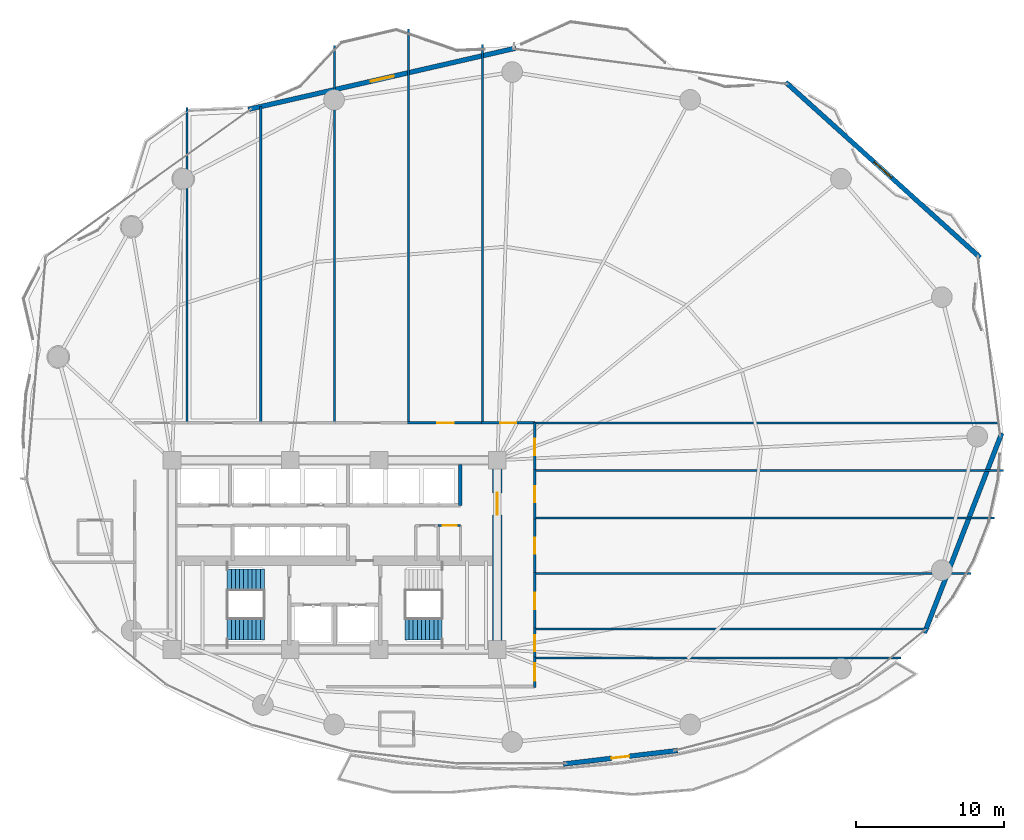
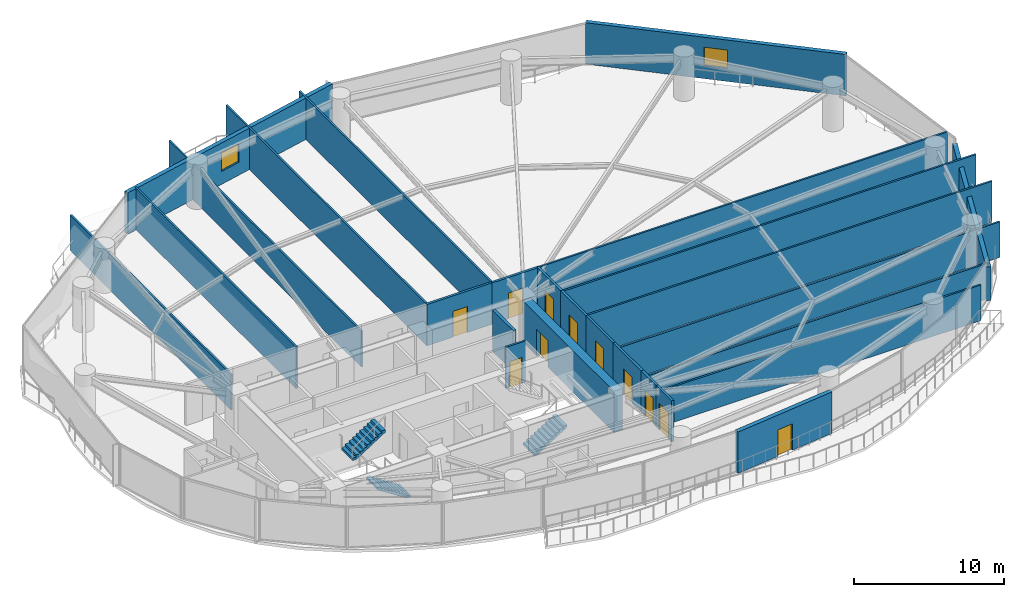
# One storey, part 26 of 30: 26 walls, 11 doors, 3 stair flights, 2 windows, 13 openings, 2 elements without a shape of their own.
"""IFC4 building model written with IfcOpenShell, lengths in metres."""

from ifc_helpers import new_model, si_unit, direction, frame, frame_2d, origin, place, context, subcontext, project, spatial, polyline, rectangle, outline, extrude, material, layer, layer_set, type_object, element, fill, aggregate, save


model = new_model("IFC4")

# Units and contexts
model_context = context("Model", 3, precision=1e-05, world=origin(), true_north=direction((0.0, 1.0)))
body_context = subcontext(model_context, "Body", "Model", "MODEL_VIEW")
ifc_project = project(units=[si_unit("LENGTHUNIT", "METRE"), si_unit("AREAUNIT", "SQUARE_METRE"), si_unit("VOLUMEUNIT", "CUBIC_METRE"), si_unit("PLANEANGLEUNIT", "RADIAN"), si_unit("MASSUNIT", "GRAM", prefix="KILO")], contexts=[model_context])

# Site, building, storey
site_placement = place(None, origin())
site = spatial("IfcSite", under=ifc_project, at=site_placement, CompositionType="ELEMENT")
building_placement = place(site_placement, origin())
building = spatial("IfcBuilding", under=site, at=building_placement, Name="Kazevale Care Tower and Concert Hall", CompositionType="ELEMENT")
storey_placement = place(building_placement, frame((0.0, 0.0, 74.39990234375)))
storey = spatial("IfcBuildingStorey", under=building, at=storey_placement, Name="L19", CompositionType="ELEMENT", Elevation=74.39990234375)

# Wall, opening, door
ifc_material_1 = material(Name="Acoustic Gypsum on Steel Stud", Category="steel")
ifc_layer_1 = layer(ifc_material_1, 0.139892578125)
ifc_layer_set_1 = layer_set([ifc_layer_1], Name="Acoustic Gypsum on Steel Stud")
wall_type_1 = type_object("IfcWallType", Name="Acoustic Care & Suite Partition 140", PredefinedType="PARTITIONING", material=ifc_layer_set_1)
wall_1_placement = place(storey_placement, frame((40.0, 31.97998046875, 0.0), z_axis=(0.0, 0.0, 1.0), x_axis=(1.0, 0.0, 0.0)))
wall_1 = element("IfcWall", 1, at=wall_1_placement, inside=storey, type_object=wall_type_1, Name="wall:L19:ka_en2", PredefinedType="PARTITIONING", context=body_context, shape_type="SweptSolid", body=[
    extrude(rectangle(XDim=1.52001953125, YDim=0.139892578125, at=frame_2d((0.760009765625, 0.0))), origin(), (0.0, 0.0, 1.0), 3.360107421875),
])
opening_1_placement = place(wall_1_placement, frame((0.320068359375, 0.0, 0.0)))
opening_1 = element("IfcOpeningElement", 2, at=opening_1_placement, cuts=wall_1, Name="Opening ID-900", PredefinedType="OPENING", context=body_context, shape_type="SweptSolid", body=[
    extrude(rectangle(XDim=0.919921875, YDim=2.10009765625, at=frame_2d((0.4599609375, 1.050048828125))), frame((0.0, 0.079833984375, 0.0), z_axis=(0.0, -1.0, 0.0), x_axis=(1.0, 0.0, 0.0)), (0.0, 0.0, 1.0), 0.159912109375),
])
ifc_material_2 = material(Name="Oak Timber Fire Leaf", Category="wood")
door_type_1 = type_object("IfcDoorType", Name="Bathroom & Service Door 920x2100", OperationType="NOTDEFINED", PredefinedType="DOOR", material=ifc_material_2)
door_1_placement = place(opening_1_placement, origin())
door_1 = element("IfcDoor", 3, at=door_1_placement, inside=storey, type_object=door_type_1, Name="door:L19:d_kae2", OperationType="SINGLE_SWING_RIGHT", OverallHeight=2.10009765625, OverallWidth=0.919921875, PredefinedType="DOOR", context=body_context, shape_type="SweptSolid", body=[
    extrude(rectangle(XDim=0.919921875, YDim=2.10009765625, at=frame_2d((0.4599609375, 1.050048828125))), frame((0.0, 0.02490234375, 0.0), z_axis=(0.0, -1.0, 0.0), x_axis=(1.0, 0.0, 0.0)), (0.0, 0.0, 1.0), 0.050048828125),
])
fill(opening_1, door_1)

# Walls
wall_2_placement = place(storey_placement, frame((23.0, 60.261962890625, 0.0), z_axis=(0.0, 0.0, 1.0), x_axis=(0.0, -1.0, 0.0)))
element("IfcWall", 4, at=wall_2_placement, inside=storey, type_object=wall_type_1, Name="wall:L19:auto_016", PredefinedType="PARTITIONING", context=body_context, shape_type="SweptSolid", body=[
    extrude(rectangle(XDim=21.366943359375, YDim=0.139892578125, at=frame_2d((10.68359375, 0.0))), origin(), (0.0, 0.0, 1.0), 2.89013671875),
])
wall_3_placement = place(storey_placement, frame((28.0, 60.3076171875, 0.0), z_axis=(0.0, 0.0, 1.0), x_axis=(0.0, -1.0, 0.0)))
element("IfcWall", 5, at=wall_3_placement, inside=storey, type_object=wall_type_1, Name="wall:L19:auto_017", PredefinedType="PARTITIONING", context=body_context, shape_type="SweptSolid", body=[
    extrude(rectangle(XDim=21.41259765625, YDim=0.139892578125, at=frame_2d((10.706298828125, 0.0))), origin(), (0.0, 0.0, 1.0), 3.360107421875),
])
wall_4_placement = place(storey_placement, frame((33.0, 64.4609375, 0.0), z_axis=(0.0, 0.0, 1.0), x_axis=(0.0, -1.0, 0.0)))
element("IfcWall", 6, at=wall_4_placement, inside=storey, type_object=wall_type_1, Name="wall:L19:auto_018", PredefinedType="PARTITIONING", context=body_context, shape_type="SweptSolid", body=[
    extrude(rectangle(XDim=25.56591796875, YDim=0.139892578125, at=frame_2d((12.782958984375, 0.0))), origin(), (0.0, 0.0, 1.0), 2.89013671875),
])
wall_5_placement = place(storey_placement, frame((38.0, 65.548095703125, 0.0), z_axis=(0.0, 0.0, 1.0), x_axis=(0.0, -1.0, 0.0)))
element("IfcWall", 7, at=wall_5_placement, inside=storey, type_object=wall_type_1, Name="wall:L19:auto_019", PredefinedType="PARTITIONING", context=body_context, shape_type="SweptSolid", body=[
    extrude(rectangle(XDim=26.653076171875, YDim=0.139892578125, at=frame_2d((13.32666015625, 0.0))), origin(), (0.0, 0.0, 1.0), 3.360107421875),
])
wall_6_placement = place(storey_placement, frame((43.0, 64.510986328125, 0.0), z_axis=(0.0, 0.0, 1.0), x_axis=(0.0, -1.0, 0.0)))
element("IfcWall", 8, at=wall_6_placement, inside=storey, type_object=wall_type_1, Name="wall:L19:auto_020", PredefinedType="PARTITIONING", context=body_context, shape_type="SweptSolid", body=[
    extrude(rectangle(XDim=25.615966796875, YDim=0.139892578125, at=frame_2d((12.80810546875, 0.0))), origin(), (0.0, 0.0, 1.0), 3.360107421875),
])
wall_7_placement = place(storey_placement, frame((77.89404296875, 38.925048828125, 0.0), z_axis=(0.0, 0.0, 1.0), x_axis=(-1.0, 0.0, 0.0)))
element("IfcWall", 9, at=wall_7_placement, inside=storey, type_object=wall_type_1, Name="wall:L19:auto_021", PredefinedType="PARTITIONING", context=body_context, shape_type="SweptSolid", body=[
    extrude(rectangle(XDim=31.43408203125, YDim=0.139892578125, at=frame_2d((15.717041015625, 0.0))), origin(), (0.0, 0.0, 1.0), 3.360107421875),
])
wall_8_placement = place(storey_placement, frame((46.4951171875, 23.0400390625, 0.0), z_axis=(0.0, 0.0, 1.0), x_axis=(1.0, 0.0, 0.0)))
element("IfcWall", 10, at=wall_8_placement, inside=storey, type_object=wall_type_1, Name="wall:L19:auto_022", PredefinedType="PARTITIONING", context=body_context, shape_type="SweptSolid", body=[
    extrude(rectangle(XDim=24.805908203125, YDim=0.139892578125, at=frame_2d((12.40283203125, 0.0))), origin(), (0.0, 0.0, 1.0), 2.89013671875),
])
wall_9_placement = place(storey_placement, frame((46.4951171875, 25.0, 0.0), z_axis=(0.0, 0.0, 1.0), x_axis=(1.0, 0.0, 0.0)))
element("IfcWall", 11, at=wall_9_placement, inside=storey, type_object=wall_type_1, Name="wall:L19:auto_023", PredefinedType="PARTITIONING", context=body_context, shape_type="SweptSolid", body=[
    extrude(rectangle(XDim=26.490478515625, YDim=0.139892578125, at=frame_2d((13.2451171875, 0.0))), origin(), (0.0, 0.0, 1.0), 2.89013671875),
])
wall_10_placement = place(storey_placement, frame((46.4951171875, 28.75, 0.0), z_axis=(0.0, 0.0, 1.0), x_axis=(1.0, 0.0, 0.0)))
element("IfcWall", 12, at=wall_10_placement, inside=storey, type_object=wall_type_1, Name="wall:L19:auto_024", PredefinedType="PARTITIONING", context=body_context, shape_type="SweptSolid", body=[
    extrude(rectangle(XDim=29.5478515625, YDim=0.139892578125, at=frame_2d((14.77392578125, 0.0))), origin(), (0.0, 0.0, 1.0), 2.89013671875),
])
wall_11_placement = place(storey_placement, frame((46.4951171875, 32.5, 0.0), z_axis=(0.0, 0.0, 1.0), x_axis=(1.0, 0.0, 0.0)))
element("IfcWall", 13, at=wall_11_placement, inside=storey, type_object=wall_type_1, Name="wall:L19:auto_025", PredefinedType="PARTITIONING", context=body_context, shape_type="SweptSolid", body=[
    extrude(rectangle(XDim=31.126953125, YDim=0.139892578125, at=frame_2d((15.5634765625, 0.0))), origin(), (0.0, 0.0, 1.0), 3.360107421875),
])
wall_12_placement = place(storey_placement, frame((46.4951171875, 35.7099609375, 0.0), z_axis=(0.0, 0.0, 1.0), x_axis=(1.0, 0.0, 0.0)))
element("IfcWall", 14, at=wall_12_placement, inside=storey, type_object=wall_type_1, Name="wall:L19:auto_026", PredefinedType="PARTITIONING", context=body_context, shape_type="SweptSolid", body=[
    extrude(rectangle(XDim=31.741943359375, YDim=0.139892578125, at=frame_2d((15.87109375, 0.0))), origin(), (0.0, 0.0, 1.0), 3.360107421875),
])

# Wall, opening, door
ifc_material_3 = material(Name="Concrete C70", Category="concrete")
ifc_layer_2 = layer(ifc_material_3, 0.64990234375)
ifc_layer_set_2 = layer_set([ifc_layer_2], Name="Concrete C70")
wall_type_2 = type_object("IfcWallType", Name="Core Shear Wall 650 C70", PredefinedType="SHEAR", material=ifc_layer_set_2)
wall_13_placement = place(storey_placement, frame((44.0, 23.925048828125, 0.0), z_axis=(0.0, 0.0, 1.0), x_axis=(0.0, 1.0, 0.0)))
wall_13 = element("IfcWall", 15, at=wall_13_placement, inside=storey, type_object=wall_type_2, Name="wall:L19:core:E", PredefinedType="SHEAR", context=body_context, shape_type="SweptSolid", body=[
    extrude(rectangle(XDim=12.14990234375, YDim=0.64990234375, at=frame_2d((6.074951171875, 0.0))), origin(), (0.0, 0.0, 1.0), 3.360107421875),
])
opening_2_placement = place(wall_13_placement, frame((8.77490234375, 0.0, 0.0)))
opening_2 = element("IfcOpeningElement", 16, at=opening_2_placement, cuts=wall_13, Name="Opening FD-60D", PredefinedType="OPENING", context=body_context, shape_type="SweptSolid", body=[
    extrude(rectangle(XDim=1.5, YDim=2.14990234375, at=frame_2d((0.75, 1.074951171875))), frame((0.0, 0.3349609375, 0.0), z_axis=(0.0, -1.0, 0.0), x_axis=(1.0, 0.0, 0.0)), (0.0, 0.0, 1.0), 0.669921875),
])
door_type_2 = type_object("IfcDoorType", Name="Double Lobby & Auditorium Fire Door 1500x2150", OperationType="NOTDEFINED", PredefinedType="DOOR", material=ifc_material_2)
door_2_placement = place(opening_2_placement, origin())
door_2 = element("IfcDoor", 17, at=door_2_placement, inside=storey, type_object=door_type_2, Name="door:L19:core_east_out", OperationType="DOUBLE_DOOR_SINGLE_SWING", OverallHeight=2.14990234375, OverallWidth=1.5, PredefinedType="DOOR", context=body_context, shape_type="SweptSolid", body=[
    extrude(rectangle(XDim=1.5, YDim=2.14990234375, at=frame_2d((0.75, 1.074951171875))), frame((0.0, 0.02490234375, 0.0), z_axis=(0.0, -1.0, 0.0), x_axis=(1.0, 0.0, 0.0)), (0.0, 0.0, 1.0), 0.050048828125),
])
fill(opening_2, door_2)

# Wall
ifc_material_4 = material(Name="Concrete C40", Category="concrete")
ifc_layer_3 = layer(ifc_material_4, 0.219970703125)
ifc_layer_set_3 = layer_set([ifc_layer_3], Name="Concrete C40")
wall_type_3 = type_object("IfcWallType", Name="Elevator Hoistway Shaft Wall 220", PredefinedType="SOLIDWALL", material=ifc_layer_set_3)
wall_14_placement = place(storey_placement, frame((41.5, 33.35009765625, 0.0), z_axis=(0.0, 0.0, 1.0), x_axis=(0.0, 1.0, 0.0)))
element("IfcWall", 18, at=wall_14_placement, inside=storey, type_object=wall_type_3, Name="wall:L19:c_pm_e", PredefinedType="SOLIDWALL", context=body_context, shape_type="SweptSolid", body=[
    extrude(rectangle(XDim=2.75, YDim=0.219970703125, at=frame_2d((1.375, 0.0))), origin(), (0.0, 0.0, 1.0), 3.360107421875),
])

# Wall, opening, door
ifc_material_5 = material(Name="Concrete C40 and Acoustic Gypsum", Category="concrete")
ifc_layer_4 = layer(ifc_material_5, 0.179931640625)
ifc_layer_set_4 = layer_set([ifc_layer_4], Name="Concrete C40 and Acoustic Gypsum")
wall_type_4 = type_object("IfcWallType", Name="Fire-Rated Corridor & Party Wall 180", PredefinedType="PARTITIONING", material=ifc_layer_set_4)
wall_15_placement = place(storey_placement, frame((37.93505859375, 38.925048828125, 0.0), z_axis=(0.0, 0.0, 1.0), x_axis=(1.0, 0.0, 0.0)))
wall_15 = element("IfcWall", 19, at=wall_15_placement, inside=storey, type_object=wall_type_4, Name="wall:L19:auto_005", PredefinedType="PARTITIONING", context=body_context, shape_type="SweptSolid", body=[
    extrude(rectangle(XDim=5.1298828125, YDim=0.179931640625, at=frame_2d((2.56494140625, 0.0))), origin(), (0.0, 0.0, 1.0), 3.360107421875),
])
opening_3_placement = place(wall_15_placement, frame((2.014892578125, 0.0, 0.0)))
opening_3 = element("IfcOpeningElement", 20, at=opening_3_placement, cuts=wall_15, Name="Opening ID-1100", PredefinedType="OPENING", context=body_context, shape_type="SweptSolid", body=[
    extrude(rectangle(XDim=1.10009765625, YDim=2.10009765625, at=frame_2d((0.550048828125, 1.050048828125))), frame((0.0, 0.099853515625, 0.0), z_axis=(0.0, -1.0, 0.0), x_axis=(1.0, 0.0, 0.0)), (0.0, 0.0, 1.0), 0.199951171875),
])
door_type_3 = type_object("IfcDoorType", Name="Care Bedroom Accessible Door 1100x2100", OperationType="NOTDEFINED", PredefinedType="DOOR", material=ifc_material_2)
door_3_placement = place(opening_3_placement, origin())
door_3 = element("IfcDoor", 21, at=door_3_placement, inside=storey, type_object=door_type_3, Name="door:L19:ad_005", OperationType="SINGLE_SWING_LEFT", OverallHeight=2.10009765625, OverallWidth=1.10009765625, PredefinedType="DOOR", context=body_context, shape_type="SweptSolid", body=[
    extrude(rectangle(XDim=1.10009765625, YDim=2.10009765625, at=frame_2d((0.550048828125, 1.050048828125))), frame((0.0, 0.02490234375, 0.0), z_axis=(0.0, -1.0, 0.0), x_axis=(1.0, 0.0, 0.0)), (0.0, 0.0, 1.0), 0.050048828125),
])
fill(opening_3, door_3)

wall_16_placement = place(storey_placement, frame((42.93505859375, 38.925048828125, 0.0), z_axis=(0.0, 0.0, 1.0), x_axis=(1.0, 0.0, 0.0)))
wall_16 = element("IfcWall", 22, at=wall_16_placement, inside=storey, type_object=wall_type_4, Name="wall:L19:auto_006", PredefinedType="PARTITIONING", context=body_context, shape_type="SweptSolid", body=[
    extrude(rectangle(XDim=3.619873046875, YDim=0.179931640625, at=frame_2d((1.81005859375, 0.0))), origin(), (0.0, 0.0, 1.0), 3.360107421875),
])
opening_4_placement = place(wall_16_placement, frame((1.260009765625, 0.0, 0.0)))
opening_4 = element("IfcOpeningElement", 23, at=opening_4_placement, cuts=wall_16, Name="Opening ID-1100", PredefinedType="OPENING", context=body_context, shape_type="SweptSolid", body=[
    extrude(rectangle(XDim=1.10009765625, YDim=2.10009765625, at=frame_2d((0.550048828125, 1.050048828125))), frame((0.0, 0.099853515625, 0.0), z_axis=(0.0, -1.0, 0.0), x_axis=(1.0, 0.0, 0.0)), (0.0, 0.0, 1.0), 0.199951171875),
])
door_4_placement = place(opening_4_placement, origin())
door_4 = element("IfcDoor", 24, at=door_4_placement, inside=storey, type_object=door_type_3, Name="door:L19:ad_006", OperationType="SINGLE_SWING_LEFT", OverallHeight=2.10009765625, OverallWidth=1.10009765625, PredefinedType="DOOR", context=body_context, shape_type="SweptSolid", body=[
    extrude(rectangle(XDim=1.10009765625, YDim=2.10009765625, at=frame_2d((0.550048828125, 1.050048828125))), frame((0.0, 0.02490234375, 0.0), z_axis=(0.0, -1.0, 0.0), x_axis=(1.0, 0.0, 0.0)), (0.0, 0.0, 1.0), 0.050048828125),
])
fill(opening_4, door_4)

wall_17_placement = place(storey_placement, frame((46.52490234375, 23.10498046875, 0.0), z_axis=(0.0, 0.0, 1.0), x_axis=(0.0, -1.0, 0.0)))
wall_17 = element("IfcWall", 25, at=wall_17_placement, inside=storey, type_object=wall_type_4, Name="wall:L19:auto_007", PredefinedType="PARTITIONING", context=body_context, shape_type="SweptSolid", body=[
    extrude(rectangle(XDim=2.06005859375, YDim=0.179931640625, at=frame_2d((1.030029296875, 0.0))), origin(), (0.0, 0.0, 1.0), 3.360107421875),
])
opening_5_placement = place(wall_17_placement, frame((0.429931640625, 0.0, 0.0)))
opening_5 = element("IfcOpeningElement", 26, at=opening_5_placement, cuts=wall_17, Name="Opening ID-1200", PredefinedType="OPENING", context=body_context, shape_type="SweptSolid", body=[
    extrude(rectangle(XDim=1.199951171875, YDim=2.14990234375, at=frame_2d((0.60009765625, 1.074951171875))), frame((0.0, 0.099853515625, 0.0), z_axis=(0.0, -1.0, 0.0), x_axis=(1.0, 0.0, 0.0)), (0.0, 0.0, 1.0), 0.199951171875),
])
door_type_4 = type_object("IfcDoorType", Name="Clinical & Therapy Door 1200x2150", OperationType="NOTDEFINED", PredefinedType="DOOR", material=ifc_material_2)
door_5_placement = place(opening_5_placement, origin())
door_5 = element("IfcDoor", 27, at=door_5_placement, inside=storey, type_object=door_type_4, Name="door:L19:ad_007", OperationType="SINGLE_SWING_LEFT", OverallHeight=2.14990234375, OverallWidth=1.199951171875, PredefinedType="DOOR", context=body_context, shape_type="SweptSolid", body=[
    extrude(rectangle(XDim=1.199951171875, YDim=2.14990234375, at=frame_2d((0.60009765625, 1.074951171875))), frame((0.0, 0.02490234375, 0.0), z_axis=(0.0, -1.0, 0.0), x_axis=(1.0, 0.0, 0.0)), (0.0, 0.0, 1.0), 0.050048828125),
])
fill(opening_5, door_5)

wall_18_placement = place(storey_placement, frame((46.52490234375, 25.06494140625, 0.0), z_axis=(0.0, 0.0, 1.0), x_axis=(0.0, -1.0, 0.0)))
wall_18 = element("IfcWall", 28, at=wall_18_placement, inside=storey, type_object=wall_type_4, Name="wall:L19:auto_008", PredefinedType="PARTITIONING", context=body_context, shape_type="SweptSolid", body=[
    extrude(rectangle(XDim=2.08984375, YDim=0.179931640625, at=frame_2d((1.044921875, 0.0))), origin(), (0.0, 0.0, 1.0), 3.360107421875),
])
opening_6_placement = place(wall_18_placement, frame((0.4951171875, 0.0, 0.0)))
opening_6 = element("IfcOpeningElement", 29, at=opening_6_placement, cuts=wall_18, Name="Opening ID-1100", PredefinedType="OPENING", context=body_context, shape_type="SweptSolid", body=[
    extrude(rectangle(XDim=1.10009765625, YDim=2.10009765625, at=frame_2d((0.550048828125, 1.050048828125))), frame((0.0, 0.099853515625, 0.0), z_axis=(0.0, -1.0, 0.0), x_axis=(1.0, 0.0, 0.0)), (0.0, 0.0, 1.0), 0.199951171875),
])
door_6_placement = place(opening_6_placement, origin())
door_6 = element("IfcDoor", 30, at=door_6_placement, inside=storey, type_object=door_type_3, Name="door:L19:ad_008", OperationType="SINGLE_SWING_LEFT", OverallHeight=2.10009765625, OverallWidth=1.10009765625, PredefinedType="DOOR", context=body_context, shape_type="SweptSolid", body=[
    extrude(rectangle(XDim=1.10009765625, YDim=2.10009765625, at=frame_2d((0.550048828125, 1.050048828125))), frame((0.0, 0.02490234375, 0.0), z_axis=(0.0, -1.0, 0.0), x_axis=(1.0, 0.0, 0.0)), (0.0, 0.0, 1.0), 0.050048828125),
])
fill(opening_6, door_6)

wall_19_placement = place(storey_placement, frame((46.52490234375, 28.81494140625, 0.0), z_axis=(0.0, 0.0, 1.0), x_axis=(0.0, -1.0, 0.0)))
wall_19 = element("IfcWall", 31, at=wall_19_placement, inside=storey, type_object=wall_type_4, Name="wall:L19:auto_009", PredefinedType="PARTITIONING", context=body_context, shape_type="SweptSolid", body=[
    extrude(rectangle(XDim=3.8798828125, YDim=0.179931640625, at=frame_2d((1.93994140625, 0.0))), origin(), (0.0, 0.0, 1.0), 3.360107421875),
])
opening_7_placement = place(wall_19_placement, frame((1.389892578125, 0.0, 0.0)))
opening_7 = element("IfcOpeningElement", 32, at=opening_7_placement, cuts=wall_19, Name="Opening ID-1100", PredefinedType="OPENING", context=body_context, shape_type="SweptSolid", body=[
    extrude(rectangle(XDim=1.10009765625, YDim=2.10009765625, at=frame_2d((0.550048828125, 1.050048828125))), frame((0.0, 0.099853515625, 0.0), z_axis=(0.0, -1.0, 0.0), x_axis=(1.0, 0.0, 0.0)), (0.0, 0.0, 1.0), 0.199951171875),
])
door_7_placement = place(opening_7_placement, origin())
door_7 = element("IfcDoor", 33, at=door_7_placement, inside=storey, type_object=door_type_3, Name="door:L19:ad_009", OperationType="SINGLE_SWING_LEFT", OverallHeight=2.10009765625, OverallWidth=1.10009765625, PredefinedType="DOOR", context=body_context, shape_type="SweptSolid", body=[
    extrude(rectangle(XDim=1.10009765625, YDim=2.10009765625, at=frame_2d((0.550048828125, 1.050048828125))), frame((0.0, 0.02490234375, 0.0), z_axis=(0.0, -1.0, 0.0), x_axis=(1.0, 0.0, 0.0)), (0.0, 0.0, 1.0), 0.050048828125),
])
fill(opening_7, door_7)

wall_20_placement = place(storey_placement, frame((46.52490234375, 32.56494140625, 0.0), z_axis=(0.0, 0.0, 1.0), x_axis=(0.0, -1.0, 0.0)))
wall_20 = element("IfcWall", 34, at=wall_20_placement, inside=storey, type_object=wall_type_4, Name="wall:L19:auto_010", PredefinedType="PARTITIONING", context=body_context, shape_type="SweptSolid", body=[
    extrude(rectangle(XDim=3.8798828125, YDim=0.179931640625, at=frame_2d((1.93994140625, 0.0))), origin(), (0.0, 0.0, 1.0), 3.360107421875),
])
opening_8_placement = place(wall_20_placement, frame((1.389892578125, 0.0, 0.0)))
opening_8 = element("IfcOpeningElement", 35, at=opening_8_placement, cuts=wall_20, Name="Opening ID-1100", PredefinedType="OPENING", context=body_context, shape_type="SweptSolid", body=[
    extrude(rectangle(XDim=1.10009765625, YDim=2.10009765625, at=frame_2d((0.550048828125, 1.050048828125))), frame((0.0, 0.099853515625, 0.0), z_axis=(0.0, -1.0, 0.0), x_axis=(1.0, 0.0, 0.0)), (0.0, 0.0, 1.0), 0.199951171875),
])
door_8_placement = place(opening_8_placement, origin())
door_8 = element("IfcDoor", 36, at=door_8_placement, inside=storey, type_object=door_type_3, Name="door:L19:ad_010", OperationType="SINGLE_SWING_LEFT", OverallHeight=2.10009765625, OverallWidth=1.10009765625, PredefinedType="DOOR", context=body_context, shape_type="SweptSolid", body=[
    extrude(rectangle(XDim=1.10009765625, YDim=2.10009765625, at=frame_2d((0.550048828125, 1.050048828125))), frame((0.0, 0.02490234375, 0.0), z_axis=(0.0, -1.0, 0.0), x_axis=(1.0, 0.0, 0.0)), (0.0, 0.0, 1.0), 0.050048828125),
])
fill(opening_8, door_8)

wall_21_placement = place(storey_placement, frame((46.52490234375, 35.77490234375, 0.0), z_axis=(0.0, 0.0, 1.0), x_axis=(0.0, -1.0, 0.0)))
wall_21 = element("IfcWall", 37, at=wall_21_placement, inside=storey, type_object=wall_type_4, Name="wall:L19:auto_011", PredefinedType="PARTITIONING", context=body_context, shape_type="SweptSolid", body=[
    extrude(rectangle(XDim=3.33984375, YDim=0.179931640625, at=frame_2d((1.669921875, 0.0))), origin(), (0.0, 0.0, 1.0), 3.360107421875),
])
opening_9_placement = place(wall_21_placement, frame((1.1201171875, 0.0, 0.0)))
opening_9 = element("IfcOpeningElement", 38, at=opening_9_placement, cuts=wall_21, Name="Opening ID-1100", PredefinedType="OPENING", context=body_context, shape_type="SweptSolid", body=[
    extrude(rectangle(XDim=1.10009765625, YDim=2.10009765625, at=frame_2d((0.550048828125, 1.050048828125))), frame((0.0, 0.099853515625, 0.0), z_axis=(0.0, -1.0, 0.0), x_axis=(1.0, 0.0, 0.0)), (0.0, 0.0, 1.0), 0.199951171875),
])
door_9_placement = place(opening_9_placement, origin())
door_9 = element("IfcDoor", 39, at=door_9_placement, inside=storey, type_object=door_type_3, Name="door:L19:ad_011", OperationType="SINGLE_SWING_LEFT", OverallHeight=2.10009765625, OverallWidth=1.10009765625, PredefinedType="DOOR", context=body_context, shape_type="SweptSolid", body=[
    extrude(rectangle(XDim=1.10009765625, YDim=2.10009765625, at=frame_2d((0.550048828125, 1.050048828125))), frame((0.0, 0.02490234375, 0.0), z_axis=(0.0, -1.0, 0.0), x_axis=(1.0, 0.0, 0.0)), (0.0, 0.0, 1.0), 0.050048828125),
])
fill(opening_9, door_9)

wall_22_placement = place(storey_placement, frame((46.52490234375, 38.955078125, 0.0), z_axis=(0.0, 0.0, 1.0), x_axis=(0.0, -1.0, 0.0)))
wall_22 = element("IfcWall", 40, at=wall_22_placement, inside=storey, type_object=wall_type_4, Name="wall:L19:auto_012", PredefinedType="PARTITIONING", context=body_context, shape_type="SweptSolid", body=[
    extrude(rectangle(XDim=3.31005859375, YDim=0.179931640625, at=frame_2d((1.655029296875, 0.0))), origin(), (0.0, 0.0, 1.0), 3.360107421875),
])
opening_10_placement = place(wall_22_placement, frame((1.10498046875, 0.0, 0.0)))
opening_10 = element("IfcOpeningElement", 41, at=opening_10_placement, cuts=wall_22, Name="Opening ID-1100", PredefinedType="OPENING", context=body_context, shape_type="SweptSolid", body=[
    extrude(rectangle(XDim=1.10009765625, YDim=2.10009765625, at=frame_2d((0.550048828125, 1.050048828125))), frame((0.0, 0.099853515625, 0.0), z_axis=(0.0, -1.0, 0.0), x_axis=(1.0, 0.0, 0.0)), (0.0, 0.0, 1.0), 0.199951171875),
])
door_10_placement = place(opening_10_placement, origin())
door_10 = element("IfcDoor", 42, at=door_10_placement, inside=storey, type_object=door_type_3, Name="door:L19:ad_012", OperationType="SINGLE_SWING_LEFT", OverallHeight=2.10009765625, OverallWidth=1.10009765625, PredefinedType="DOOR", context=body_context, shape_type="SweptSolid", body=[
    extrude(rectangle(XDim=1.10009765625, YDim=2.10009765625, at=frame_2d((0.550048828125, 1.050048828125))), frame((0.0, 0.02490234375, 0.0), z_axis=(0.0, -1.0, 0.0), x_axis=(1.0, 0.0, 0.0)), (0.0, 0.0, 1.0), 0.050048828125),
])
fill(opening_10, door_10)

# Wall
ifc_material_6 = material(Name="Concrete C40 with Honed Limestone Cladding", Category="masonry")
ifc_layer_5 = layer(ifc_material_6, 0.320068359375)
ifc_layer_set_5 = layer_set([ifc_layer_5], Name="Concrete C40 with Honed Limestone Cladding")
wall_type_5 = type_object("IfcWallType", Name="Tower Honed Limestone Spandrel Wall 320", PredefinedType="STANDARD", material=ifc_layer_set_5)
wall_23_placement = place(storey_placement, frame((78.114013671875, 38.242919921875, 0.0), z_axis=(0.0, 0.0, 1.0), x_axis=(-0.360517110943, -0.932752599952, 0.0)))
element("IfcWall", 43, at=wall_23_placement, inside=storey, type_object=wall_type_5, Name="wall:cw:L19:f01", PredefinedType="STANDARD", context=body_context, shape_type="SweptSolid", body=[
    extrude(rectangle(XDim=14.504150390625, YDim=0.320068359375, at=frame_2d((7.251953125, 0.0))), origin(), (0.0, 0.0, 1.0), 2.738037109375),
])

# Wall, opening, door
wall_24_placement = place(storey_placement, frame((56.18994140625, 16.77197265625, 0.0), z_axis=(0.0, 0.0, 1.0), x_axis=(-0.993056646691, -0.117637138959, 0.0)))
wall_24 = element("IfcWall", 44, at=wall_24_placement, inside=storey, type_object=wall_type_5, Name="wall:L19:bal_host", PredefinedType="STANDARD", context=body_context, shape_type="SweptSolid", body=[
    extrude(rectangle(XDim=7.795166015625, YDim=0.320068359375, at=frame_2d((3.8974609375, 0.0))), origin(), (0.0, 0.0, 1.0), 3.360107421875),
])
opening_11_placement = place(wall_24_placement, frame((3.298095703125, 0.0, 0.0)))
opening_11 = element("IfcOpeningElement", 45, at=opening_11_placement, cuts=wall_24, Name="Opening BD-1200", PredefinedType="OPENING", context=body_context, shape_type="SweptSolid", body=[
    extrude(rectangle(XDim=1.199951171875, YDim=2.14990234375, at=frame_2d((0.60009765625, 1.074951171875))), frame((0.0, 0.169921875, 0.0), z_axis=(0.0, -1.0, 0.0), x_axis=(1.0, 0.0, 0.0)), (0.0, 0.0, 1.0), 0.340087890625),
])
ifc_material_7 = material(Name="Aluminium 6063-T6 and Low-E Glass", Category="aluminium")
door_type_5 = type_object("IfcDoorType", Name="Sheltered Balcony Glazed Door 1200x2150", OperationType="NOTDEFINED", PredefinedType="DOOR", material=ifc_material_7)
door_11_placement = place(opening_11_placement, origin())
door_11 = element("IfcDoor", 46, at=door_11_placement, inside=storey, type_object=door_type_5, Name="door:L19:BD-1", OperationType="SINGLE_SWING_LEFT", OverallHeight=2.14990234375, OverallWidth=1.199951171875, PredefinedType="DOOR", context=body_context, shape_type="SweptSolid", body=[
    extrude(rectangle(XDim=1.199951171875, YDim=2.14990234375, at=frame_2d((0.60009765625, 1.074951171875))), frame((0.0, 0.02490234375, 0.0), z_axis=(0.0, -1.0, 0.0), x_axis=(1.0, 0.0, 0.0)), (0.0, 0.0, 1.0), 0.050048828125),
])
fill(opening_11, door_11)

# Wall, opening, window
wall_25_placement = place(storey_placement, frame((27.1640625, 60.1259765625, 0.0), z_axis=(0.0, 0.0, 1.0), x_axis=(0.974744906433, 0.22332122018, 0.0)))
wall_25 = element("IfcWall", 47, at=wall_25_placement, inside=storey, type_object=wall_type_5, Name="wall:L19:cbox:15", PredefinedType="STANDARD", context=body_context, shape_type="SweptSolid", body=[
    extrude(rectangle(XDim=18.560791015625, YDim=0.320068359375, at=frame_2d((9.2802734375, 0.0))), origin(), (0.0, 0.0, 1.0), 3.360107421875),
])
opening_12_placement = place(wall_25_placement, frame((8.48095703125, 0.0, 1.050048828125)))
opening_12 = element("IfcOpeningElement", 48, at=opening_12_placement, cuts=wall_25, Name="Opening WIN-1", PredefinedType="OPENING", context=body_context, shape_type="SweptSolid", body=[
    extrude(rectangle(XDim=1.60009765625, YDim=1.5, at=frame_2d((0.800048828125, 0.75))), frame((0.0, 0.169921875, 0.0), z_axis=(0.0, -1.0, 0.0), x_axis=(1.0, 0.0, 0.0)), (0.0, 0.0, 1.0), 0.340087890625),
])
ifc_material_8 = material(Name="Low-E Laminated Glass", Category="glass")
window_type = type_object("IfcWindowType", Name="Convex Box Deep-Set Window 1600x1500", PartitioningType="DOUBLE_PANEL_VERTICAL", PredefinedType="WINDOW", material=ifc_material_8)
window_1_placement = place(opening_12_placement, origin())
window_1 = element("IfcWindow", 49, at=window_1_placement, inside=storey, type_object=window_type, Name="win:L19:cbox:15", OverallHeight=1.5, OverallWidth=1.60009765625, PartitioningType="SINGLE_PANEL", PredefinedType="WINDOW", context=body_context, shape_type="SweptSolid", body=[
    extrude(rectangle(XDim=1.60009765625, YDim=1.5, at=frame_2d((0.800048828125, 0.75))), frame((0.0, 0.030029296875, 0.0), z_axis=(0.0, -1.0, 0.0), x_axis=(1.0, 0.0, 0.0)), (0.0, 0.0, 1.0), 0.06005859375),
])
fill(opening_12, window_1)

wall_26_placement = place(storey_placement, frame((63.493896484375, 61.968994140625, 0.0), z_axis=(0.0, 0.0, 1.0), x_axis=(0.7425569544, -0.669782927128, 0.0)))
wall_26 = element("IfcWall", 50, at=wall_26_placement, inside=storey, type_object=wall_type_5, Name="wall:L19:cbox:17", PredefinedType="STANDARD", context=body_context, shape_type="SweptSolid", body=[
    extrude(rectangle(XDim=17.713134765625, YDim=0.320068359375, at=frame_2d((8.8564453125, 0.0))), origin(), (0.0, 0.0, 1.0), 3.360107421875),
])
opening_13_placement = place(wall_26_placement, frame((8.056884765625, 0.0, 1.050048828125)))
opening_13 = element("IfcOpeningElement", 51, at=opening_13_placement, cuts=wall_26, Name="Opening WIN-1", PredefinedType="OPENING", context=body_context, shape_type="SweptSolid", body=[
    extrude(rectangle(XDim=1.60009765625, YDim=1.5, at=frame_2d((0.800048828125, 0.75))), frame((0.0, 0.169921875, 0.0), z_axis=(0.0, -1.0, 0.0), x_axis=(1.0, 0.0, 0.0)), (0.0, 0.0, 1.0), 0.340087890625),
])
window_2_placement = place(opening_13_placement, origin())
window_2 = element("IfcWindow", 52, at=window_2_placement, inside=storey, type_object=window_type, Name="win:L19:cbox:17", OverallHeight=1.5, OverallWidth=1.60009765625, PartitioningType="SINGLE_PANEL", PredefinedType="WINDOW", context=body_context, shape_type="SweptSolid", body=[
    extrude(rectangle(XDim=1.60009765625, YDim=1.5, at=frame_2d((0.800048828125, 0.75))), frame((0.0, 0.030029296875, 0.0), z_axis=(0.0, -1.0, 0.0), x_axis=(1.0, 0.0, 0.0)), (0.0, 0.0, 1.0), 0.06005859375),
])
fill(opening_13, window_2)

# Stair, stair flights
stair_type = type_object("IfcStairType", Name="Exit Stair Assembly ST1-Z1", PredefinedType="HALF_TURN_STAIR", material=ifc_material_4)
stair_1_placement = place(storey_placement, origin())
stair_1 = element("IfcStair", 53, at=stair_1_placement, inside=storey, type_object=stair_type, Name="stair:L19:ST1", PredefinedType="HALF_TURN_STAIR")
ifc_layer_6 = layer(ifc_material_4, 0.159912109375)
ifc_layer_set_6 = layer_set([ifc_layer_6], Name="Concrete C40")
stair_flight_type = type_object("IfcStairFlightType", Name="Exit Stair Flight ST1-Z1", PredefinedType="STRAIGHT", material=ifc_layer_set_6)
stair_flight_1_placement = place(storey_placement, frame((28.25, 24.989990234375, 0.0), z_axis=(0.0, 0.0, 1.0), x_axis=(-1.0, 0.0, 0.0)))
stair_flight_1 = element("IfcStairFlight", 54, at=stair_flight_1_placement, type_object=stair_flight_type, Name="ST1-Z1 flight 1", NumberOfRisers=10, NumberOfTreads=9, PredefinedType="STRAIGHT", RiserHeight=0.18, TreadLength=0.28, context=body_context, shape_type="SweptSolid", body=[
    extrude(outline(polyline([(0.0, 0.0), (0.0, 0.179931640625), (0.280029296875, 0.179931640625), (0.280029296875, 0.360107421875), (0.56005859375, 0.360107421875), (0.56005859375, 0.5400390625), (0.840087890625, 0.5400390625), (0.840087890625, 0.719970703125), (1.1201171875, 0.719970703125), (1.1201171875, 0.89990234375), (1.39990234375, 0.89990234375), (1.39990234375, 1.080078125), (1.679931640625, 1.080078125), (1.679931640625, 1.260009765625), (1.9599609375, 1.260009765625), (1.9599609375, 1.43994140625), (2.239990234375, 1.43994140625), (2.239990234375, 1.6201171875), (2.52001953125, 1.6201171875), (2.52001953125, 1.800048828125), (2.52001953125, 1.429931640625), (0.295654296875, 0.0), (0.0, 0.0)])), frame((0.0, 0.739990234375, 0.0), z_axis=(0.0, -1.0, 0.0), x_axis=(1.0, 0.0, 0.0)), (0.0, 0.0, 1.0), 1.47998046875),
])
stair_flight_2_placement = place(storey_placement, frame((25.72998046875, 28.31005859375, 1.800048828125), z_axis=(0.0, 0.0, 1.0), x_axis=(1.0, 0.0, 0.0)))
stair_flight_2 = element("IfcStairFlight", 55, at=stair_flight_2_placement, type_object=stair_flight_type, Name="ST1-Z1 flight 2", NumberOfRisers=10, NumberOfTreads=9, PredefinedType="STRAIGHT", RiserHeight=0.18, TreadLength=0.28, context=body_context, shape_type="SweptSolid", body=[
    extrude(outline(polyline([(0.0, 0.0), (0.0, 0.179931640625), (0.280029296875, 0.179931640625), (0.280029296875, 0.360107421875), (0.56005859375, 0.360107421875), (0.56005859375, 0.5400390625), (0.840087890625, 0.5400390625), (0.840087890625, 0.719970703125), (1.1201171875, 0.719970703125), (1.1201171875, 0.89990234375), (1.39990234375, 0.89990234375), (1.39990234375, 1.080078125), (1.679931640625, 1.080078125), (1.679931640625, 1.260009765625), (1.9599609375, 1.260009765625), (1.9599609375, 1.43994140625), (2.239990234375, 1.43994140625), (2.239990234375, 1.6201171875), (2.52001953125, 1.6201171875), (2.52001953125, 1.800048828125), (2.52001953125, 1.429931640625), (0.295654296875, 0.0), (0.0, 0.0)])), frame((0.0, 0.739990234375, 0.0), z_axis=(0.0, -1.0, 0.0), x_axis=(1.0, 0.0, 0.0)), (0.0, 0.0, 1.0), 1.47998046875),
])
aggregate(stair_1, [stair_flight_1, stair_flight_2])

# Stair, stair flight
stair_2_placement = place(storey_placement, origin())
stair_2 = element("IfcStair", 56, at=stair_2_placement, inside=storey, type_object=stair_type, Name="stair:L19:ST2", PredefinedType="HALF_TURN_STAIR")
stair_flight_3_placement = place(storey_placement, frame((37.75, 24.989990234375, 0.0), z_axis=(0.0, 0.0, 1.0), x_axis=(1.0, 0.0, 0.0)))
stair_flight_3 = element("IfcStairFlight", 57, at=stair_flight_3_placement, type_object=stair_flight_type, Name="ST1-Z1 flight 1", NumberOfRisers=10, NumberOfTreads=9, PredefinedType="STRAIGHT", RiserHeight=0.18, TreadLength=0.28, context=body_context, shape_type="SweptSolid", body=[
    extrude(outline(polyline([(0.0, 0.0), (0.0, 0.179931640625), (0.280029296875, 0.179931640625), (0.280029296875, 0.360107421875), (0.56005859375, 0.360107421875), (0.56005859375, 0.5400390625), (0.840087890625, 0.5400390625), (0.840087890625, 0.719970703125), (1.1201171875, 0.719970703125), (1.1201171875, 0.89990234375), (1.39990234375, 0.89990234375), (1.39990234375, 1.080078125), (1.679931640625, 1.080078125), (1.679931640625, 1.260009765625), (1.9599609375, 1.260009765625), (1.9599609375, 1.43994140625), (2.239990234375, 1.43994140625), (2.239990234375, 1.6201171875), (2.52001953125, 1.6201171875), (2.52001953125, 1.800048828125), (2.52001953125, 1.429931640625), (0.295654296875, 0.0), (0.0, 0.0)])), frame((0.0, 0.739990234375, 0.0), z_axis=(0.0, -1.0, 0.0), x_axis=(1.0, 0.0, 0.0)), (0.0, 0.0, 1.0), 1.47998046875),
])
aggregate(stair_2, [stair_flight_3])

save(model, "model.ifc")
